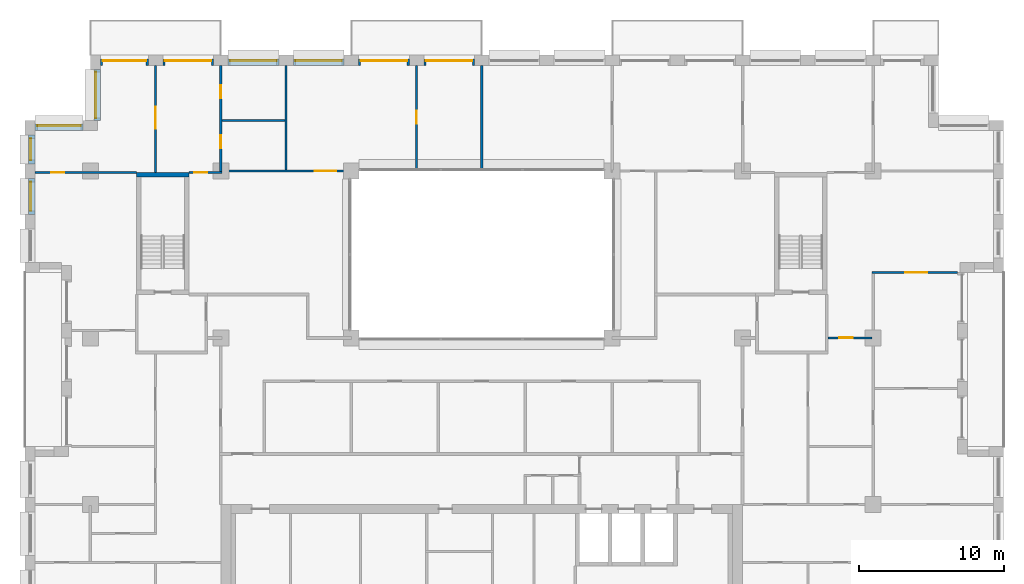
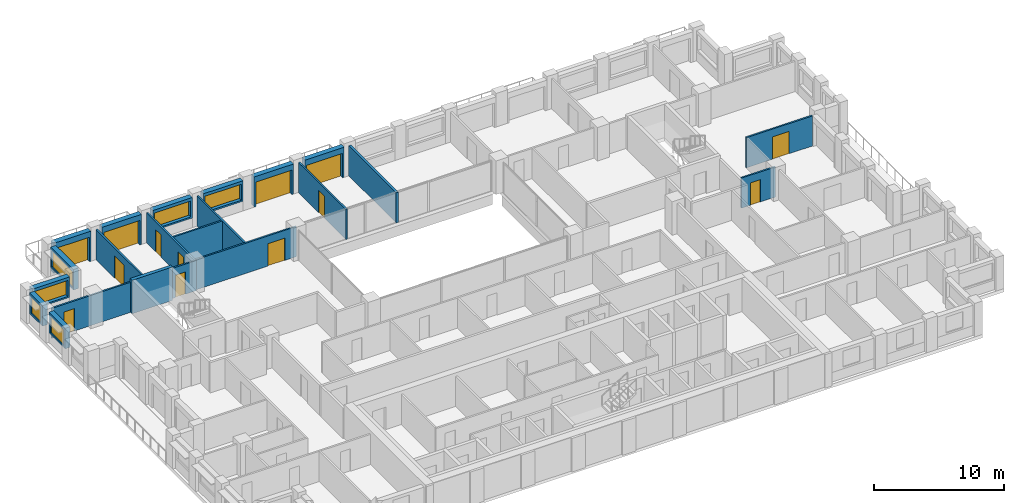
# One storey, part 12 of 15: 22 walls, 13 doors, 6 windows, 19 openings.
"""IFC4 building model written with IfcOpenShell, lengths in metres."""

from ifc_helpers import new_model, si_unit, direction, frame, frame_2d, origin, place, context, subcontext, project, spatial, rectangle, extrude, material, layer, layer_set, type_object, element, fill, save


model = new_model("IFC4")

# Units and contexts
model_context = context("Model", 3, precision=1e-05, world=origin(), true_north=direction((0.0, 1.0)))
body_context = subcontext(model_context, "Body", "Model", "MODEL_VIEW")
ifc_project = project(units=[si_unit("LENGTHUNIT", "METRE"), si_unit("AREAUNIT", "SQUARE_METRE"), si_unit("VOLUMEUNIT", "CUBIC_METRE"), si_unit("PLANEANGLEUNIT", "RADIAN"), si_unit("MASSUNIT", "GRAM", prefix="KILO")], contexts=[model_context])

# Site, building, storey
site_placement = place(None, origin())
site = spatial("IfcSite", under=ifc_project, at=site_placement, CompositionType="ELEMENT")
building_placement = place(site_placement, origin())
building = spatial("IfcBuilding", under=site, at=building_placement, Name="Brigalow Station Residences", CompositionType="ELEMENT")
storey_placement = place(building_placement, frame((0.0, 0.0, 144.449951171875)))
storey = spatial("IfcBuildingStorey", under=building, at=storey_placement, Name="L41", CompositionType="ELEMENT", Elevation=144.449951171875)

# Wall, opening, door
ifc_material_1 = material(Name="Clay brick masonry", Category="masonry")
ifc_layer_1 = layer(ifc_material_1, 0.449951171875)
ifc_layer_set_1 = layer_set([ifc_layer_1], Name="BRICK INFILL WALL 450")
wall_type_1 = type_object("IfcWallType", Name="BRICK INFILL WALL 450", PredefinedType="SOLIDWALL", material=ifc_layer_set_1)
wall_1_placement = place(storey_placement, frame((35.5, 43.02490234375, 0.0), z_axis=(0.0, 0.0, 1.0), x_axis=(-1.0, 0.0, 0.0)))
wall_1 = element("IfcWall", 1, at=wall_1_placement, inside=storey, type_object=wall_type_1, Name="L41/ewall/W-L41-29", PredefinedType="SOLIDWALL", context=body_context, shape_type="SweptSolid", body=[
    extrude(rectangle(XDim=3.5, YDim=0.449951171875, at=frame_2d((1.75, 0.0))), origin(), (0.0, 0.0, 1.0), 2.830078125),
])
opening_1_placement = place(wall_1_placement, frame((0.14990234375, 0.0, 0.0)))
opening_1 = element("IfcOpeningElement", 2, at=opening_1_placement, cuts=wall_1, Name="Opening D-B3200", PredefinedType="OPENING", context=body_context, shape_type="SweptSolid", body=[
    extrude(rectangle(XDim=3.199951171875, YDim=2.300048828125, at=frame_2d((1.60009765625, 1.14990234375))), frame((0.0, 0.23486328125, 0.0), z_axis=(0.0, -1.0, 0.0), x_axis=(1.0, 0.0, 0.0)), (0.0, 0.0, 1.0), 0.469970703125),
])
ifc_material_2 = material(Name="Anodised aluminium frame with double glazing", Category="aluminium")
door_type_1 = type_object("IfcDoorType", Name="BALCONY SLIDING DOOR 3200x2300", OperationType="SLIDING_TO_LEFT", PredefinedType="DOOR", material=ifc_material_2)
door_1_placement = place(opening_1_placement, origin())
door_1 = element("IfcDoor", 3, at=door_1_placement, inside=storey, type_object=door_type_1, Name="L41/balcony-door/W-L41-29", OperationType="SLIDING_TO_LEFT", OverallHeight=2.300048828125, OverallWidth=3.199951171875, PredefinedType="DOOR", context=body_context, shape_type="SweptSolid", body=[
    extrude(rectangle(XDim=3.199951171875, YDim=2.300048828125, at=frame_2d((1.60009765625, 1.14990234375))), frame((0.0, -0.06982421875, 0.0), z_axis=(0.0, -1.0, 0.0), x_axis=(1.0, 0.0, 0.0)), (0.0, 0.0, 1.0), 0.050048828125),
])
fill(opening_1, door_1)

wall_2_placement = place(storey_placement, frame((31.0, 43.02490234375, 0.0), z_axis=(0.0, 0.0, 1.0), x_axis=(-1.0, 0.0, 0.0)))
wall_2 = element("IfcWall", 4, at=wall_2_placement, inside=storey, type_object=wall_type_1, Name="L41/ewall/W-L41-30", PredefinedType="SOLIDWALL", context=body_context, shape_type="SweptSolid", body=[
    extrude(rectangle(XDim=3.5, YDim=0.449951171875, at=frame_2d((1.75, 0.0))), origin(), (0.0, 0.0, 1.0), 2.830078125),
])
opening_2_placement = place(wall_2_placement, frame((0.14990234375, 0.0, 0.0)))
opening_2 = element("IfcOpeningElement", 5, at=opening_2_placement, cuts=wall_2, Name="Opening D-B3200", PredefinedType="OPENING", context=body_context, shape_type="SweptSolid", body=[
    extrude(rectangle(XDim=3.199951171875, YDim=2.300048828125, at=frame_2d((1.60009765625, 1.14990234375))), frame((0.0, 0.23486328125, 0.0), z_axis=(0.0, -1.0, 0.0), x_axis=(1.0, 0.0, 0.0)), (0.0, 0.0, 1.0), 0.469970703125),
])
door_2_placement = place(opening_2_placement, origin())
door_2 = element("IfcDoor", 6, at=door_2_placement, inside=storey, type_object=door_type_1, Name="L41/balcony-door/W-L41-30", OperationType="SLIDING_TO_LEFT", OverallHeight=2.300048828125, OverallWidth=3.199951171875, PredefinedType="DOOR", context=body_context, shape_type="SweptSolid", body=[
    extrude(rectangle(XDim=3.199951171875, YDim=2.300048828125, at=frame_2d((1.60009765625, 1.14990234375))), frame((0.0, -0.06982421875, 0.0), z_axis=(0.0, -1.0, 0.0), x_axis=(1.0, 0.0, 0.0)), (0.0, 0.0, 1.0), 0.050048828125),
])
fill(opening_2, door_2)

# Wall, opening, window
wall_3_placement = place(storey_placement, frame((26.5, 43.02490234375, 0.900146484375), z_axis=(0.0, 0.0, 1.0), x_axis=(-1.0, 0.0, 0.0)))
wall_3 = element("IfcWall", 7, at=wall_3_placement, inside=storey, type_object=wall_type_1, Name="L41/ewall/W-L41-31", PredefinedType="SOLIDWALL", context=body_context, shape_type="SweptSolid", body=[
    extrude(rectangle(XDim=3.5, YDim=0.449951171875, at=frame_2d((1.75, 0.0))), origin(), (0.0, 0.0, 1.0), 1.929931640625),
])
opening_3_placement = place(wall_3_placement, frame((0.14990234375, 0.0, 0.14990234375)))
opening_3 = element("IfcOpeningElement", 8, at=opening_3_placement, cuts=wall_3, Name="Opening WT-9", PredefinedType="OPENING", context=body_context, shape_type="SweptSolid", body=[
    extrude(rectangle(XDim=3.199951171875, YDim=1.5, at=frame_2d((1.60009765625, 0.75))), frame((0.0, 0.23486328125, 0.0), z_axis=(0.0, -1.0, 0.0), x_axis=(1.0, 0.0, 0.0)), (0.0, 0.0, 1.0), 0.469970703125),
])
ifc_material_3 = material(Name="Anodised aluminium frame with double glazing", Category="aluminium")
window_type_1 = type_object("IfcWindowType", Name="WINDOW 3200x1500", PartitioningType="SINGLE_PANEL", PredefinedType="WINDOW", material=ifc_material_3)
window_1_placement = place(opening_3_placement, origin())
window_1 = element("IfcWindow", 9, at=window_1_placement, inside=storey, type_object=window_type_1, Name="L41/window/W-L41-31", OverallHeight=1.5, OverallWidth=3.199951171875, PartitioningType="SINGLE_PANEL", PredefinedType="WINDOW", context=body_context, shape_type="SweptSolid", body=[
    extrude(rectangle(XDim=3.199951171875, YDim=1.5, at=frame_2d((1.60009765625, 0.75))), frame((0.0, -0.06494140625, 0.0), z_axis=(0.0, -1.0, 0.0), x_axis=(1.0, 0.0, 0.0)), (0.0, 0.0, 1.0), 0.06005859375),
])
fill(opening_3, window_1)

wall_4_placement = place(storey_placement, frame((22.0, 43.02490234375, 0.900146484375), z_axis=(0.0, 0.0, 1.0), x_axis=(-1.0, 0.0, 0.0)))
wall_4 = element("IfcWall", 10, at=wall_4_placement, inside=storey, type_object=wall_type_1, Name="L41/ewall/W-L41-32", PredefinedType="SOLIDWALL", context=body_context, shape_type="SweptSolid", body=[
    extrude(rectangle(XDim=3.5, YDim=0.449951171875, at=frame_2d((1.75, 0.0))), origin(), (0.0, 0.0, 1.0), 1.929931640625),
])
opening_4_placement = place(wall_4_placement, frame((0.14990234375, 0.0, 0.14990234375)))
opening_4 = element("IfcOpeningElement", 11, at=opening_4_placement, cuts=wall_4, Name="Opening WT-9", PredefinedType="OPENING", context=body_context, shape_type="SweptSolid", body=[
    extrude(rectangle(XDim=3.199951171875, YDim=1.5, at=frame_2d((1.60009765625, 0.75))), frame((0.0, 0.23486328125, 0.0), z_axis=(0.0, -1.0, 0.0), x_axis=(1.0, 0.0, 0.0)), (0.0, 0.0, 1.0), 0.469970703125),
])
window_2_placement = place(opening_4_placement, origin())
window_2 = element("IfcWindow", 12, at=window_2_placement, inside=storey, type_object=window_type_1, Name="L41/window/W-L41-32", OverallHeight=1.5, OverallWidth=3.199951171875, PartitioningType="SINGLE_PANEL", PredefinedType="WINDOW", context=body_context, shape_type="SweptSolid", body=[
    extrude(rectangle(XDim=3.199951171875, YDim=1.5, at=frame_2d((1.60009765625, 0.75))), frame((0.0, -0.06494140625, 0.0), z_axis=(0.0, -1.0, 0.0), x_axis=(1.0, 0.0, 0.0)), (0.0, 0.0, 1.0), 0.06005859375),
])
fill(opening_4, window_2)

# Wall, opening, door
wall_5_placement = place(storey_placement, frame((17.5, 43.02490234375, 0.0), z_axis=(0.0, 0.0, 1.0), x_axis=(-1.0, 0.0, 0.0)))
wall_5 = element("IfcWall", 13, at=wall_5_placement, inside=storey, type_object=wall_type_1, Name="L41/ewall/W-L41-33", PredefinedType="SOLIDWALL", context=body_context, shape_type="SweptSolid", body=[
    extrude(rectangle(XDim=3.5, YDim=0.449951171875, at=frame_2d((1.75, 0.0))), origin(), (0.0, 0.0, 1.0), 2.830078125),
])
opening_5_placement = place(wall_5_placement, frame((0.14990234375, 0.0, 0.0)))
opening_5 = element("IfcOpeningElement", 14, at=opening_5_placement, cuts=wall_5, Name="Opening D-B3200", PredefinedType="OPENING", context=body_context, shape_type="SweptSolid", body=[
    extrude(rectangle(XDim=3.199951171875, YDim=2.300048828125, at=frame_2d((1.60009765625, 1.14990234375))), frame((0.0, 0.23486328125, 0.0), z_axis=(0.0, -1.0, 0.0), x_axis=(1.0, 0.0, 0.0)), (0.0, 0.0, 1.0), 0.469970703125),
])
door_3_placement = place(opening_5_placement, origin())
door_3 = element("IfcDoor", 15, at=door_3_placement, inside=storey, type_object=door_type_1, Name="L41/balcony-door/W-L41-33", OperationType="SLIDING_TO_LEFT", OverallHeight=2.300048828125, OverallWidth=3.199951171875, PredefinedType="DOOR", context=body_context, shape_type="SweptSolid", body=[
    extrude(rectangle(XDim=3.199951171875, YDim=2.300048828125, at=frame_2d((1.60009765625, 1.14990234375))), frame((0.0, -0.06982421875, 0.0), z_axis=(0.0, -1.0, 0.0), x_axis=(1.0, 0.0, 0.0)), (0.0, 0.0, 1.0), 0.050048828125),
])
fill(opening_5, door_3)

wall_6_placement = place(storey_placement, frame((13.0, 43.02490234375, 0.0), z_axis=(0.0, 0.0, 1.0), x_axis=(-1.0, 0.0, 0.0)))
wall_6 = element("IfcWall", 16, at=wall_6_placement, inside=storey, type_object=wall_type_1, Name="L41/ewall/W-L41-34", PredefinedType="SOLIDWALL", context=body_context, shape_type="SweptSolid", body=[
    extrude(rectangle(XDim=3.300048828125, YDim=0.449951171875, at=frame_2d((1.64990234375, 0.0))), origin(), (0.0, 0.0, 1.0), 2.830078125),
])
opening_6_placement = place(wall_6_placement, frame((0.14990234375, 0.0, 0.0)))
opening_6 = element("IfcOpeningElement", 17, at=opening_6_placement, cuts=wall_6, Name="Opening D-B3000", PredefinedType="OPENING", context=body_context, shape_type="SweptSolid", body=[
    extrude(rectangle(XDim=3.0, YDim=2.300048828125, at=frame_2d((1.5, 1.14990234375))), frame((0.0, 0.23486328125, 0.0), z_axis=(0.0, -1.0, 0.0), x_axis=(1.0, 0.0, 0.0)), (0.0, 0.0, 1.0), 0.469970703125),
])
ifc_material_4 = material(Name="Anodised aluminium frame with double glazing", Category="aluminium")
door_type_2 = type_object("IfcDoorType", Name="BALCONY SLIDING DOOR 3000x2300", OperationType="SLIDING_TO_LEFT", PredefinedType="DOOR", material=ifc_material_4)
door_4_placement = place(opening_6_placement, origin())
door_4 = element("IfcDoor", 18, at=door_4_placement, inside=storey, type_object=door_type_2, Name="L41/balcony-door/W-L41-34", OperationType="SLIDING_TO_LEFT", OverallHeight=2.300048828125, OverallWidth=3.0, PredefinedType="DOOR", context=body_context, shape_type="SweptSolid", body=[
    extrude(rectangle(XDim=3.0, YDim=2.300048828125, at=frame_2d((1.5, 1.14990234375))), frame((0.0, -0.06982421875, 0.0), z_axis=(0.0, -1.0, 0.0), x_axis=(1.0, 0.0, 0.0)), (0.0, 0.0, 1.0), 0.050048828125),
])
fill(opening_6, door_4)

# Wall, opening, window
wall_7_placement = place(storey_placement, frame((9.47509765625, 42.5, 0.900146484375), z_axis=(0.0, 0.0, 1.0), x_axis=(0.0, -1.0, 0.0)))
wall_7 = element("IfcWall", 19, at=wall_7_placement, inside=storey, type_object=wall_type_1, Name="L41/ewall/W-L41-35", PredefinedType="SOLIDWALL", context=body_context, shape_type="SweptSolid", body=[
    extrude(rectangle(XDim=3.5, YDim=0.449951171875, at=frame_2d((1.75, 0.0))), origin(), (0.0, 0.0, 1.0), 1.929931640625),
])
opening_7_placement = place(wall_7_placement, frame((0.14990234375, 0.0, 0.14990234375)))
opening_7 = element("IfcOpeningElement", 20, at=opening_7_placement, cuts=wall_7, Name="Opening WT-9", PredefinedType="OPENING", context=body_context, shape_type="SweptSolid", body=[
    extrude(rectangle(XDim=3.199951171875, YDim=1.5, at=frame_2d((1.60009765625, 0.75))), frame((0.0, 0.23486328125, 0.0), z_axis=(0.0, -1.0, 0.0), x_axis=(1.0, 0.0, 0.0)), (0.0, 0.0, 1.0), 0.469970703125),
])
window_3_placement = place(opening_7_placement, origin())
window_3 = element("IfcWindow", 21, at=window_3_placement, inside=storey, type_object=window_type_1, Name="L41/window/W-L41-35", OverallHeight=1.5, OverallWidth=3.199951171875, PartitioningType="SINGLE_PANEL", PredefinedType="WINDOW", context=body_context, shape_type="SweptSolid", body=[
    extrude(rectangle(XDim=3.199951171875, YDim=1.5, at=frame_2d((1.60009765625, 0.75))), frame((0.0, -0.06494140625, 0.0), z_axis=(0.0, -1.0, 0.0), x_axis=(1.0, 0.0, 0.0)), (0.0, 0.0, 1.0), 0.06005859375),
])
fill(opening_7, window_3)

wall_8_placement = place(storey_placement, frame((8.5, 38.52490234375, 0.900146484375), z_axis=(0.0, 0.0, 1.0), x_axis=(-1.0, 0.0, 0.0)))
wall_8 = element("IfcWall", 22, at=wall_8_placement, inside=storey, type_object=wall_type_1, Name="L41/ewall/W-L41-36", PredefinedType="SOLIDWALL", context=body_context, shape_type="SweptSolid", body=[
    extrude(rectangle(XDim=3.300048828125, YDim=0.449951171875, at=frame_2d((1.64990234375, 0.0))), origin(), (0.0, 0.0, 1.0), 1.929931640625),
])
opening_8_placement = place(wall_8_placement, frame((0.14990234375, 0.0, 0.14990234375)))
opening_8 = element("IfcOpeningElement", 23, at=opening_8_placement, cuts=wall_8, Name="Opening WT-2", PredefinedType="OPENING", context=body_context, shape_type="SweptSolid", body=[
    extrude(rectangle(XDim=3.0, YDim=1.5, at=frame_2d((1.5, 0.75))), frame((0.0, 0.23486328125, 0.0), z_axis=(0.0, -1.0, 0.0), x_axis=(1.0, 0.0, 0.0)), (0.0, 0.0, 1.0), 0.469970703125),
])
ifc_material_5 = material(Name="Anodised aluminium frame with double glazing", Category="aluminium")
window_type_2 = type_object("IfcWindowType", Name="WINDOW 3000x1500", PartitioningType="SINGLE_PANEL", PredefinedType="WINDOW", material=ifc_material_5)
window_4_placement = place(opening_8_placement, origin())
window_4 = element("IfcWindow", 24, at=window_4_placement, inside=storey, type_object=window_type_2, Name="L41/window/W-L41-36", OverallHeight=1.5, OverallWidth=3.0, PartitioningType="SINGLE_PANEL", PredefinedType="WINDOW", context=body_context, shape_type="SweptSolid", body=[
    extrude(rectangle(XDim=3.0, YDim=1.5, at=frame_2d((1.5, 0.75))), frame((0.0, -0.06494140625, 0.0), z_axis=(0.0, -1.0, 0.0), x_axis=(1.0, 0.0, 0.0)), (0.0, 0.0, 1.0), 0.06005859375),
])
fill(opening_8, window_4)

wall_9_placement = place(storey_placement, frame((4.97509765625, 38.0, 0.900146484375), z_axis=(0.0, 0.0, 1.0), x_axis=(0.0, -1.0, 0.0)))
wall_9 = element("IfcWall", 25, at=wall_9_placement, inside=storey, type_object=wall_type_1, Name="L41/ewall/W-L41-37", PredefinedType="SOLIDWALL", context=body_context, shape_type="SweptSolid", body=[
    extrude(rectangle(XDim=2.0, YDim=0.449951171875, at=frame_2d((1.0, 0.0))), origin(), (0.0, 0.0, 1.0), 1.929931640625),
])
opening_9_placement = place(wall_9_placement, frame((0.25, 0.0, 0.14990234375)))
opening_9 = element("IfcOpeningElement", 26, at=opening_9_placement, cuts=wall_9, Name="Opening WT-1", PredefinedType="OPENING", context=body_context, shape_type="SweptSolid", body=[
    extrude(rectangle(XDim=1.5, YDim=1.5, at=frame_2d((0.75, 0.75))), frame((0.0, 0.23486328125, 0.0), z_axis=(0.0, -1.0, 0.0), x_axis=(1.0, 0.0, 0.0)), (0.0, 0.0, 1.0), 0.469970703125),
])
ifc_material_6 = material(Name="Anodised aluminium frame with double glazing", Category="aluminium")
window_type_3 = type_object("IfcWindowType", Name="WINDOW 1500x1500", PartitioningType="SINGLE_PANEL", PredefinedType="WINDOW", material=ifc_material_6)
window_5_placement = place(opening_9_placement, origin())
window_5 = element("IfcWindow", 27, at=window_5_placement, inside=storey, type_object=window_type_3, Name="L41/window/W-L41-37", OverallHeight=1.5, OverallWidth=1.5, PartitioningType="SINGLE_PANEL", PredefinedType="WINDOW", context=body_context, shape_type="SweptSolid", body=[
    extrude(rectangle(XDim=1.5, YDim=1.5, at=frame_2d((0.75, 0.75))), frame((0.0, -0.06494140625, 0.0), z_axis=(0.0, -1.0, 0.0), x_axis=(1.0, 0.0, 0.0)), (0.0, 0.0, 1.0), 0.06005859375),
])
fill(opening_9, window_5)

wall_10_placement = place(storey_placement, frame((4.97509765625, 35.0, 0.900146484375), z_axis=(0.0, 0.0, 1.0), x_axis=(0.0, -1.0, 0.0)))
wall_10 = element("IfcWall", 28, at=wall_10_placement, inside=storey, type_object=wall_type_1, Name="L41/ewall/W-L41-38", PredefinedType="SOLIDWALL", context=body_context, shape_type="SweptSolid", body=[
    extrude(rectangle(XDim=2.5, YDim=0.449951171875, at=frame_2d((1.25, 0.0))), origin(), (0.0, 0.0, 1.0), 1.929931640625),
])
opening_10_placement = place(wall_10_placement, frame((0.25, 0.0, 0.14990234375)))
opening_10 = element("IfcOpeningElement", 29, at=opening_10_placement, cuts=wall_10, Name="Opening WT-7", PredefinedType="OPENING", context=body_context, shape_type="SweptSolid", body=[
    extrude(rectangle(XDim=2.0, YDim=1.5, at=frame_2d((1.0, 0.75))), frame((0.0, 0.23486328125, 0.0), z_axis=(0.0, -1.0, 0.0), x_axis=(1.0, 0.0, 0.0)), (0.0, 0.0, 1.0), 0.469970703125),
])
ifc_material_7 = material(Name="Anodised aluminium frame with double glazing", Category="aluminium")
window_type_4 = type_object("IfcWindowType", Name="WINDOW 2000x1500", PartitioningType="SINGLE_PANEL", PredefinedType="WINDOW", material=ifc_material_7)
window_6_placement = place(opening_10_placement, origin())
window_6 = element("IfcWindow", 30, at=window_6_placement, inside=storey, type_object=window_type_4, Name="L41/window/W-L41-38", OverallHeight=1.5, OverallWidth=2.0, PartitioningType="SINGLE_PANEL", PredefinedType="WINDOW", context=body_context, shape_type="SweptSolid", body=[
    extrude(rectangle(XDim=2.0, YDim=1.5, at=frame_2d((1.0, 0.75))), frame((0.0, -0.06494140625, 0.0), z_axis=(0.0, -1.0, 0.0), x_axis=(1.0, 0.0, 0.0)), (0.0, 0.0, 1.0), 0.06005859375),
])
fill(opening_10, window_6)

# Wall
ifc_material_8 = material(Name="Concrete C65", Category="concrete")
ifc_layer_2 = layer(ifc_material_8, 0.300048828125)
ifc_layer_set_2 = layer_set([ifc_layer_2], Name="CORE SHEAR WALL 300 C65")
wall_type_2 = type_object("IfcWallType", Name="CORE SHEAR WALL 300 C65", PredefinedType="SHEAR", material=ifc_layer_set_2)
wall_11_placement = place(storey_placement, frame((12.199951171875, 35.25, 0.0), z_axis=(0.0, 0.0, 1.0), x_axis=(1.0, 0.0, 0.0)))
element("IfcWall", 31, at=wall_11_placement, inside=storey, type_object=wall_type_2, Name="CORE WALL ST-S1-N L41", PredefinedType="SHEAR", context=body_context, shape_type="SweptSolid", body=[
    extrude(rectangle(XDim=3.60009765625, YDim=0.300048828125, at=frame_2d((1.800048828125, 0.0))), origin(), (0.0, 0.0, 1.0), 3.150146484375),
])

# Wall, opening, door
ifc_material_9 = material(Name="Plasterboard on steel stud partition", Category="steel")
ifc_layer_3 = layer(ifc_material_9, 0.14990234375)
ifc_layer_set_3 = layer_set([ifc_layer_3], Name="FLAT PARTITION 150")
wall_type_3 = type_object("IfcWallType", Name="FLAT PARTITION 150", PredefinedType="PARTITIONING", material=ifc_layer_set_3)
wall_12_placement = place(storey_placement, frame((59.89990234375, 24.0, 0.0), z_axis=(0.0, 0.0, 1.0), x_axis=(1.0, 0.0, 0.0)))
wall_12 = element("IfcWall", 32, at=wall_12_placement, inside=storey, type_object=wall_type_3, Name="PW-3A01", PredefinedType="PARTITIONING", context=body_context, shape_type="SweptSolid", body=[
    extrude(rectangle(XDim=3.025146484375, YDim=0.14990234375, at=frame_2d((1.5126953125, 0.0))), origin(), (0.0, 0.0, 1.0), 2.830078125),
])
opening_11_placement = place(wall_12_placement, frame((0.77490234375, 0.0, 0.0)))
opening_11 = element("IfcOpeningElement", 33, at=opening_11_placement, cuts=wall_12, Name="Opening D-3A30", PredefinedType="OPENING", context=body_context, shape_type="SweptSolid", body=[
    extrude(rectangle(XDim=0.89990234375, YDim=2.10009765625, at=frame_2d((0.449951171875, 1.050048828125))), frame((0.0, 0.0849609375, 0.0), z_axis=(0.0, -1.0, 0.0), x_axis=(1.0, 0.0, 0.0)), (0.0, 0.0, 1.0), 0.169921875),
])
ifc_material_10 = material(Name="Solid-core timber door leaf", Category="wood")
door_type_3 = type_object("IfcDoorType", Name="INTERNAL DOOR 900 x 2100", OperationType="SINGLE_SWING_LEFT", PredefinedType="DOOR", material=ifc_material_10)
door_5_placement = place(opening_11_placement, frame((0.89990234375, 0.0, 0.0), z_axis=(0.0, 0.0, 1.0), x_axis=(-1.0, 0.0, 0.0)))
door_5 = element("IfcDoor", 34, at=door_5_placement, inside=storey, type_object=door_type_3, Name="D-3A30", OperationType="SINGLE_SWING_RIGHT", OverallHeight=2.10009765625, OverallWidth=0.89990234375, PredefinedType="DOOR", context=body_context, shape_type="SweptSolid", body=[
    extrude(rectangle(XDim=0.89990234375, YDim=2.10009765625, at=frame_2d((0.449951171875, 1.050048828125))), frame((0.0, 0.02490234375, 0.0), z_axis=(0.0, -1.0, 0.0), x_axis=(1.0, 0.0, 0.0)), (0.0, 0.0, 1.0), 0.050048828125),
])
fill(opening_11, door_5)

wall_13_placement = place(storey_placement, frame((5.199951171875, 35.39990234375, 0.0), z_axis=(0.0, 0.0, 1.0), x_axis=(1.0, 0.0, 0.0)))
wall_13 = element("IfcWall", 35, at=wall_13_placement, inside=storey, type_object=wall_type_3, Name="PW-3A17", PredefinedType="PARTITIONING", context=body_context, shape_type="SweptSolid", body=[
    extrude(rectangle(XDim=7.0, YDim=0.14990234375, at=frame_2d((3.5, 0.0))), origin(), (0.0, 0.0, 1.0), 2.830078125),
])
opening_12_placement = place(wall_13_placement, frame((1.10009765625, 0.0, 0.0)))
opening_12 = element("IfcOpeningElement", 36, at=opening_12_placement, cuts=wall_13, Name="Opening D-3A10", PredefinedType="OPENING", context=body_context, shape_type="SweptSolid", body=[
    extrude(rectangle(XDim=0.89990234375, YDim=2.10009765625, at=frame_2d((0.449951171875, 1.050048828125))), frame((0.0, 0.0849609375, 0.0), z_axis=(0.0, -1.0, 0.0), x_axis=(1.0, 0.0, 0.0)), (0.0, 0.0, 1.0), 0.169921875),
])
door_6_placement = place(opening_12_placement, origin())
door_6 = element("IfcDoor", 37, at=door_6_placement, inside=storey, type_object=door_type_3, Name="D-3A10", OperationType="SINGLE_SWING_LEFT", OverallHeight=2.10009765625, OverallWidth=0.89990234375, PredefinedType="DOOR", context=body_context, shape_type="SweptSolid", body=[
    extrude(rectangle(XDim=0.89990234375, YDim=2.10009765625, at=frame_2d((0.449951171875, 1.050048828125))), frame((0.0, 0.02490234375, 0.0), z_axis=(0.0, -1.0, 0.0), x_axis=(1.0, 0.0, 0.0)), (0.0, 0.0, 1.0), 0.050048828125),
])
fill(opening_12, door_6)

wall_14_placement = place(storey_placement, frame((15.800048828125, 35.39990234375, 0.0), z_axis=(0.0, 0.0, 1.0), x_axis=(1.0, 0.0, 0.0)))
wall_14 = element("IfcWall", 38, at=wall_14_placement, inside=storey, type_object=wall_type_3, Name="PW-3A18", PredefinedType="PARTITIONING", context=body_context, shape_type="SweptSolid", body=[
    extrude(rectangle(XDim=2.27490234375, YDim=0.14990234375, at=frame_2d((1.137451171875, 0.0))), origin(), (0.0, 0.0, 1.0), 2.830078125),
])
opening_13_placement = place(wall_14_placement, frame((0.375, 0.0, 0.0)))
opening_13 = element("IfcOpeningElement", 39, at=opening_13_placement, cuts=wall_14, Name="Opening D-3A14", PredefinedType="OPENING", context=body_context, shape_type="SweptSolid", body=[
    extrude(rectangle(XDim=0.89990234375, YDim=2.10009765625, at=frame_2d((0.449951171875, 1.050048828125))), frame((0.0, 0.0849609375, 0.0), z_axis=(0.0, -1.0, 0.0), x_axis=(1.0, 0.0, 0.0)), (0.0, 0.0, 1.0), 0.169921875),
])
door_7_placement = place(opening_13_placement, origin())
door_7 = element("IfcDoor", 40, at=door_7_placement, inside=storey, type_object=door_type_3, Name="D-3A14", OperationType="SINGLE_SWING_RIGHT", OverallHeight=2.10009765625, OverallWidth=0.89990234375, PredefinedType="DOOR", context=body_context, shape_type="SweptSolid", body=[
    extrude(rectangle(XDim=0.89990234375, YDim=2.10009765625, at=frame_2d((0.449951171875, 1.050048828125))), frame((0.0, 0.02490234375, 0.0), z_axis=(0.0, -1.0, 0.0), x_axis=(1.0, 0.0, 0.0)), (0.0, 0.0, 1.0), 0.050048828125),
])
fill(opening_13, door_7)

# Wall
wall_15_placement = place(storey_placement, frame((18.074951171875, 39.0, 0.0), z_axis=(0.0, 0.0, 1.0), x_axis=(1.0, 0.0, 0.0)))
element("IfcWall", 41, at=wall_15_placement, inside=storey, type_object=wall_type_3, Name="PW-3A21", PredefinedType="PARTITIONING", context=body_context, shape_type="SweptSolid", body=[
    extrude(rectangle(XDim=4.35009765625, YDim=0.14990234375, at=frame_2d((2.175048828125, 0.0))), origin(), (0.0, 0.0, 1.0), 2.830078125),
])

# Wall, opening, door
wall_16_placement = place(storey_placement, frame((18.074951171875, 35.5, 0.0), z_axis=(0.0, 0.0, 1.0), x_axis=(1.0, 0.0, 0.0)))
wall_16 = element("IfcWall", 42, at=wall_16_placement, inside=storey, type_object=wall_type_3, Name="PW-3A22", PredefinedType="PARTITIONING", context=body_context, shape_type="SweptSolid", body=[
    extrude(rectangle(XDim=8.925048828125, YDim=0.14990234375, at=frame_2d((4.46240234375, 0.0))), origin(), (0.0, 0.0, 1.0), 2.830078125),
])
opening_14_placement = place(wall_16_placement, frame((6.39990234375, 0.0, 0.0)))
opening_14 = element("IfcOpeningElement", 43, at=opening_14_placement, cuts=wall_16, Name="Opening D-3A15", PredefinedType="OPENING", context=body_context, shape_type="SweptSolid", body=[
    extrude(rectangle(XDim=1.5, YDim=2.10009765625, at=frame_2d((0.75, 1.050048828125))), frame((0.0, 0.0849609375, 0.0), z_axis=(0.0, -1.0, 0.0), x_axis=(1.0, 0.0, 0.0)), (0.0, 0.0, 1.0), 0.169921875),
])
ifc_material_11 = material(Name="Solid-core timber door leaf", Category="wood")
door_type_4 = type_object("IfcDoorType", Name="INTERNAL DOUBLE DOOR 1500 x 2100", OperationType="DOUBLE_DOOR_SINGLE_SWING", PredefinedType="DOOR", material=ifc_material_11)
door_8_placement = place(opening_14_placement, origin())
door_8 = element("IfcDoor", 44, at=door_8_placement, inside=storey, type_object=door_type_4, Name="D-3A15", OperationType="DOUBLE_DOOR_SINGLE_SWING", OverallHeight=2.10009765625, OverallWidth=1.5, PredefinedType="DOOR", context=body_context, shape_type="SweptSolid", body=[
    extrude(rectangle(XDim=1.5, YDim=2.10009765625, at=frame_2d((0.75, 1.050048828125))), frame((0.0, 0.02490234375, 0.0), z_axis=(0.0, -1.0, 0.0), x_axis=(1.0, 0.0, 0.0)), (0.0, 0.0, 1.0), 0.050048828125),
])
fill(opening_14, door_8)

wall_17_placement = place(storey_placement, frame((62.925048828125, 28.5, 0.0), z_axis=(0.0, 0.0, 1.0), x_axis=(1.0, 0.0, 0.0)))
wall_17 = element("IfcWall", 45, at=wall_17_placement, inside=storey, type_object=wall_type_3, Name="PW-3A27", PredefinedType="PARTITIONING", context=body_context, shape_type="SweptSolid", body=[
    extrude(rectangle(XDim=5.875, YDim=0.14990234375, at=frame_2d((2.9375, 0.0))), origin(), (0.0, 0.0, 1.0), 2.830078125),
])
opening_15_placement = place(wall_17_placement, frame((2.300048828125, 0.0, 0.0)))
opening_15 = element("IfcOpeningElement", 46, at=opening_15_placement, cuts=wall_17, Name="Opening D-3A29", PredefinedType="OPENING", context=body_context, shape_type="SweptSolid", body=[
    extrude(rectangle(XDim=1.5, YDim=2.10009765625, at=frame_2d((0.75, 1.050048828125))), frame((0.0, 0.0849609375, 0.0), z_axis=(0.0, -1.0, 0.0), x_axis=(1.0, 0.0, 0.0)), (0.0, 0.0, 1.0), 0.169921875),
])
door_9_placement = place(opening_15_placement, frame((1.5, 0.0, 0.0), z_axis=(0.0, 0.0, 1.0), x_axis=(-1.0, 0.0, 0.0)))
door_9 = element("IfcDoor", 47, at=door_9_placement, inside=storey, type_object=door_type_4, Name="D-3A29", OperationType="DOUBLE_DOOR_SINGLE_SWING", OverallHeight=2.10009765625, OverallWidth=1.5, PredefinedType="DOOR", context=body_context, shape_type="SweptSolid", body=[
    extrude(rectangle(XDim=1.5, YDim=2.10009765625, at=frame_2d((0.75, 1.050048828125))), frame((0.0, 0.02490234375, 0.0), z_axis=(0.0, -1.0, 0.0), x_axis=(1.0, 0.0, 0.0)), (0.0, 0.0, 1.0), 0.050048828125),
])
fill(opening_15, door_9)

# Wall, openings, doors
wall_18_placement = place(storey_placement, frame((18.0, 35.47509765625, 0.0), z_axis=(0.0, 0.0, 1.0), x_axis=(0.0, 1.0, 0.0)))
wall_18 = element("IfcWall", 48, at=wall_18_placement, inside=storey, type_object=wall_type_3, Name="PW-3A29", PredefinedType="PARTITIONING", context=body_context, shape_type="SweptSolid", body=[
    extrude(rectangle(XDim=7.324951171875, YDim=0.14990234375, at=frame_2d((3.66259765625, 0.0))), origin(), (0.0, 0.0, 1.0), 2.830078125),
])
opening_16_placement = place(wall_18_placement, frame((5.050048828125, 0.0, 0.0)))
opening_16 = element("IfcOpeningElement", 49, at=opening_16_placement, cuts=wall_18, Name="Opening D-3A12", PredefinedType="OPENING", context=body_context, shape_type="SweptSolid", body=[
    extrude(rectangle(XDim=0.89990234375, YDim=2.10009765625, at=frame_2d((0.449951171875, 1.050048828125))), frame((0.0, 0.0849609375, 0.0), z_axis=(0.0, -1.0, 0.0), x_axis=(1.0, 0.0, 0.0)), (0.0, 0.0, 1.0), 0.169921875),
])
opening_17_placement = place(wall_18_placement, frame((1.60009765625, 0.0, 0.0)))
opening_17 = element("IfcOpeningElement", 50, at=opening_17_placement, cuts=wall_18, Name="Opening D-3A13", PredefinedType="OPENING", context=body_context, shape_type="SweptSolid", body=[
    extrude(rectangle(XDim=0.89990234375, YDim=2.10009765625, at=frame_2d((0.449951171875, 1.050048828125))), frame((0.0, 0.0849609375, 0.0), z_axis=(0.0, -1.0, 0.0), x_axis=(1.0, 0.0, 0.0)), (0.0, 0.0, 1.0), 0.169921875),
])
door_10_placement = place(opening_16_placement, frame((0.89990234375, 0.0, 0.0), z_axis=(0.0, 0.0, 1.0), x_axis=(-1.0, 0.0, 0.0)))
door_10 = element("IfcDoor", 51, at=door_10_placement, inside=storey, type_object=door_type_3, Name="D-3A12", OperationType="SINGLE_SWING_LEFT", OverallHeight=2.10009765625, OverallWidth=0.89990234375, PredefinedType="DOOR", context=body_context, shape_type="SweptSolid", body=[
    extrude(rectangle(XDim=0.89990234375, YDim=2.10009765625, at=frame_2d((0.449951171875, 1.050048828125))), frame((0.0, 0.02490234375, 0.0), z_axis=(0.0, -1.0, 0.0), x_axis=(1.0, 0.0, 0.0)), (0.0, 0.0, 1.0), 0.050048828125),
])
fill(opening_16, door_10)
door_11_placement = place(opening_17_placement, frame((0.89990234375, 0.0, 0.0), z_axis=(0.0, 0.0, 1.0), x_axis=(-1.0, 0.0, 0.0)))
door_11 = element("IfcDoor", 52, at=door_11_placement, inside=storey, type_object=door_type_3, Name="D-3A13", OperationType="SINGLE_SWING_LEFT", OverallHeight=2.10009765625, OverallWidth=0.89990234375, PredefinedType="DOOR", context=body_context, shape_type="SweptSolid", body=[
    extrude(rectangle(XDim=0.89990234375, YDim=2.10009765625, at=frame_2d((0.449951171875, 1.050048828125))), frame((0.0, 0.02490234375, 0.0), z_axis=(0.0, -1.0, 0.0), x_axis=(1.0, 0.0, 0.0)), (0.0, 0.0, 1.0), 0.050048828125),
])
fill(opening_17, door_11)

# Wall, opening, door
wall_19_placement = place(storey_placement, frame((13.5, 35.39990234375, 0.0), z_axis=(0.0, 0.0, 1.0), x_axis=(0.0, 1.0, 0.0)))
wall_19 = element("IfcWall", 53, at=wall_19_placement, inside=storey, type_object=wall_type_3, Name="PW-3A40", PredefinedType="PARTITIONING", context=body_context, shape_type="SweptSolid", body=[
    extrude(rectangle(XDim=7.400146484375, YDim=0.14990234375, at=frame_2d((3.7001953125, 0.0))), origin(), (0.0, 0.0, 1.0), 2.830078125),
])
opening_18_placement = place(wall_19_placement, frame((3.02490234375, 0.0, 0.0)))
opening_18 = element("IfcOpeningElement", 54, at=opening_18_placement, cuts=wall_19, Name="Opening D-3A11", PredefinedType="OPENING", context=body_context, shape_type="SweptSolid", body=[
    extrude(rectangle(XDim=1.5, YDim=2.10009765625, at=frame_2d((0.75, 1.050048828125))), frame((0.0, 0.0849609375, 0.0), z_axis=(0.0, -1.0, 0.0), x_axis=(1.0, 0.0, 0.0)), (0.0, 0.0, 1.0), 0.169921875),
])
door_12_placement = place(opening_18_placement, frame((1.5, 0.0, 0.0), z_axis=(0.0, 0.0, 1.0), x_axis=(-1.0, 0.0, 0.0)))
door_12 = element("IfcDoor", 55, at=door_12_placement, inside=storey, type_object=door_type_4, Name="D-3A11", OperationType="DOUBLE_DOOR_SINGLE_SWING", OverallHeight=2.10009765625, OverallWidth=1.5, PredefinedType="DOOR", context=body_context, shape_type="SweptSolid", body=[
    extrude(rectangle(XDim=1.5, YDim=2.10009765625, at=frame_2d((0.75, 1.050048828125))), frame((0.0, 0.02490234375, 0.0), z_axis=(0.0, -1.0, 0.0), x_axis=(1.0, 0.0, 0.0)), (0.0, 0.0, 1.0), 0.050048828125),
])
fill(opening_18, door_12)

# Wall
wall_20_placement = place(storey_placement, frame((22.5, 35.574951171875, 0.0), z_axis=(0.0, 0.0, 1.0), x_axis=(0.0, 1.0, 0.0)))
element("IfcWall", 56, at=wall_20_placement, inside=storey, type_object=wall_type_3, Name="PW-3A42", PredefinedType="PARTITIONING", context=body_context, shape_type="SweptSolid", body=[
    extrude(rectangle(XDim=7.22509765625, YDim=0.14990234375, at=frame_2d((3.612548828125, 0.0))), origin(), (0.0, 0.0, 1.0), 2.830078125),
])

# Wall, opening, door
wall_21_placement = place(storey_placement, frame((31.5, 35.5, 0.0), z_axis=(0.0, 0.0, 1.0), x_axis=(0.0, 1.0, 0.0)))
wall_21 = element("IfcWall", 57, at=wall_21_placement, inside=storey, type_object=wall_type_3, Name="PW-3A43", PredefinedType="PARTITIONING", context=body_context, shape_type="SweptSolid", body=[
    extrude(rectangle(XDim=7.300048828125, YDim=0.14990234375, at=frame_2d((3.64990234375, 0.0))), origin(), (0.0, 0.0, 1.0), 2.830078125),
])
opening_19_placement = place(wall_21_placement, frame((3.27490234375, 0.0, 0.0)))
opening_19 = element("IfcOpeningElement", 58, at=opening_19_placement, cuts=wall_21, Name="Opening D-3A16", PredefinedType="OPENING", context=body_context, shape_type="SweptSolid", body=[
    extrude(rectangle(XDim=0.89990234375, YDim=2.10009765625, at=frame_2d((0.449951171875, 1.050048828125))), frame((0.0, 0.0849609375, 0.0), z_axis=(0.0, -1.0, 0.0), x_axis=(1.0, 0.0, 0.0)), (0.0, 0.0, 1.0), 0.169921875),
])
door_13_placement = place(opening_19_placement, frame((0.89990234375, 0.0, 0.0), z_axis=(0.0, 0.0, 1.0), x_axis=(-1.0, 0.0, 0.0)))
door_13 = element("IfcDoor", 59, at=door_13_placement, inside=storey, type_object=door_type_3, Name="D-3A16", OperationType="SINGLE_SWING_LEFT", OverallHeight=2.10009765625, OverallWidth=0.89990234375, PredefinedType="DOOR", context=body_context, shape_type="SweptSolid", body=[
    extrude(rectangle(XDim=0.89990234375, YDim=2.10009765625, at=frame_2d((0.449951171875, 1.050048828125))), frame((0.0, 0.02490234375, 0.0), z_axis=(0.0, -1.0, 0.0), x_axis=(1.0, 0.0, 0.0)), (0.0, 0.0, 1.0), 0.050048828125),
])
fill(opening_19, door_13)

# Wall
ifc_material_12 = material(Name="Plasterboard on steel stud partition", Category="steel")
ifc_layer_4 = layer(ifc_material_12, 0.199951171875)
ifc_layer_set_4 = layer_set([ifc_layer_4], Name="PARTY AND CORRIDOR WALL 200")
wall_type_4 = type_object("IfcWallType", Name="PARTY AND CORRIDOR WALL 200", PredefinedType="PARTITIONING", material=ifc_layer_set_4)
wall_22_placement = place(storey_placement, frame((36.0, 35.5, 0.0), z_axis=(0.0, 0.0, 1.0), x_axis=(0.0, 1.0, 0.0)))
element("IfcWall", 60, at=wall_22_placement, inside=storey, type_object=wall_type_4, Name="PW-3A44", PredefinedType="PARTITIONING", context=body_context, shape_type="SweptSolid", body=[
    extrude(rectangle(XDim=7.300048828125, YDim=0.199951171875, at=frame_2d((3.64990234375, 0.0))), origin(), (0.0, 0.0, 1.0), 2.830078125),
])

save(model, "model.ifc")
